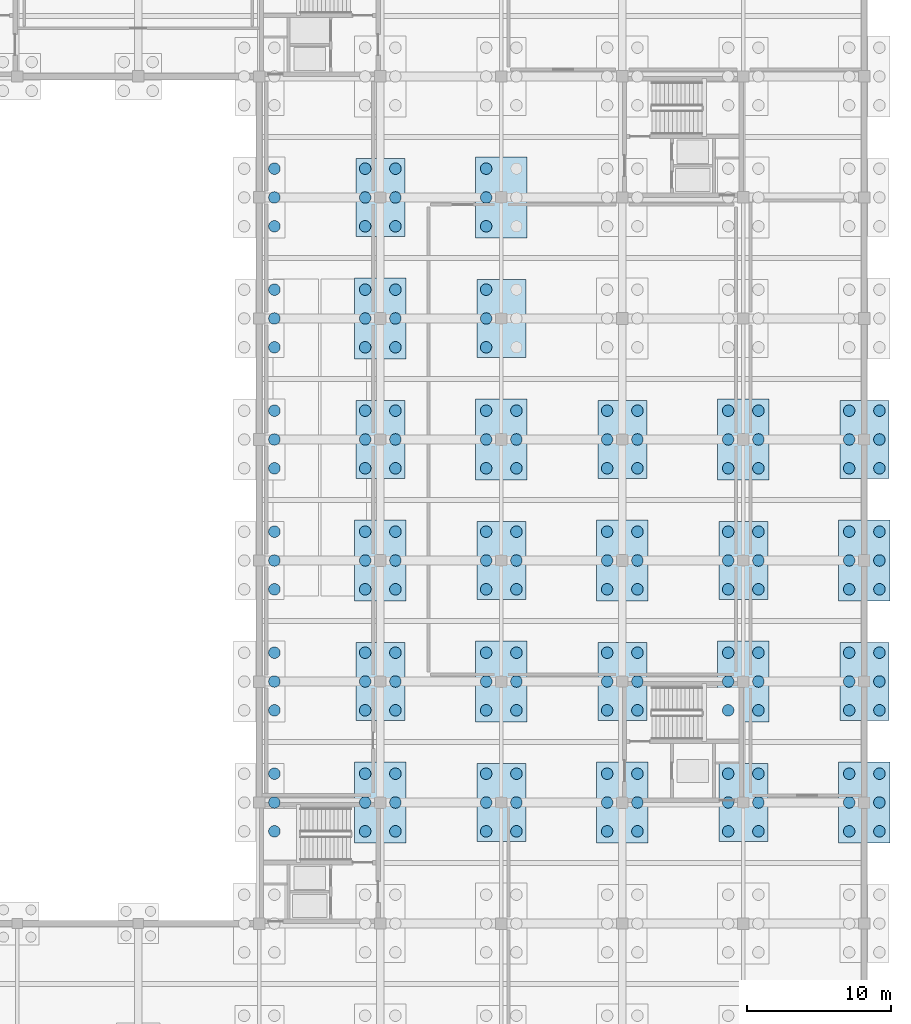
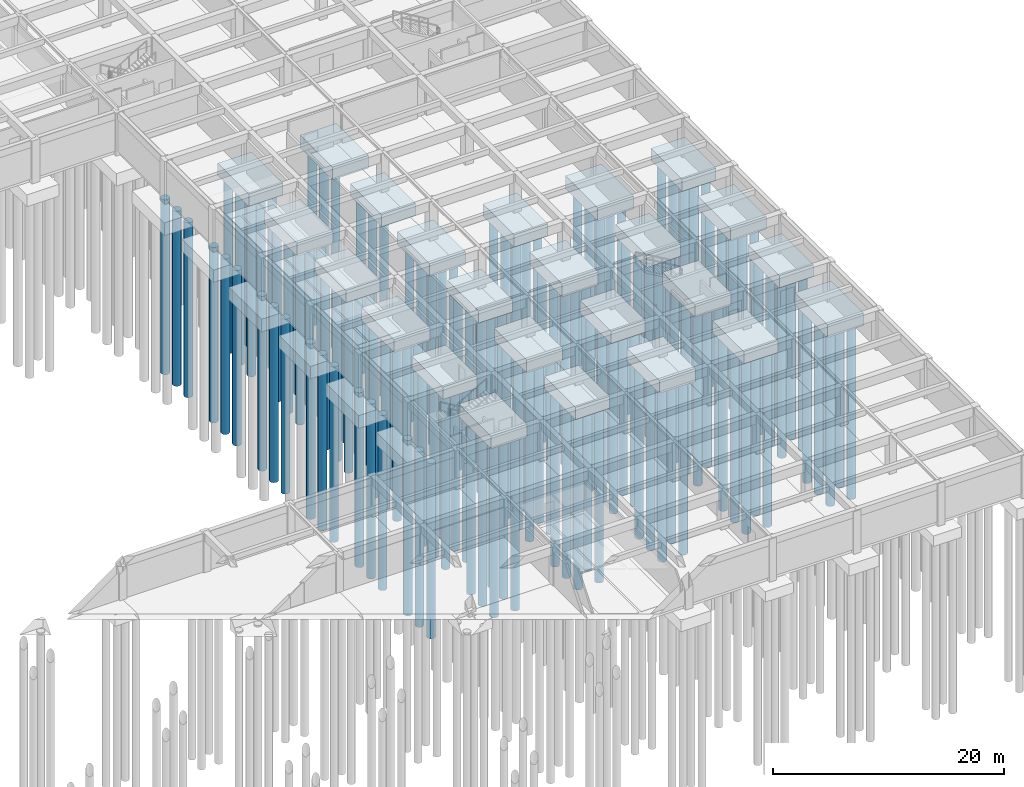
# One storey, part 5 of 33: 156 piles, 24 footings.
"""IFC4 building model written with IfcOpenShell, lengths in metres."""

from ifc_helpers import new_model, si_unit, direction, frame, origin, origin_2d, place, context, subcontext, project, spatial, rectangle, circle, extrude, material, material_profile, profile_set, type_object, element, save


model = new_model("IFC4")

# Units and contexts
model_context = context("Model", 3, precision=1e-05, world=origin(), true_north=direction((0.0, 1.0)))
body_context = subcontext(model_context, "Body", "Model", "MODEL_VIEW")
ifc_project = project(units=[si_unit("LENGTHUNIT", "METRE"), si_unit("AREAUNIT", "SQUARE_METRE"), si_unit("VOLUMEUNIT", "CUBIC_METRE"), si_unit("PLANEANGLEUNIT", "RADIAN"), si_unit("MASSUNIT", "GRAM", prefix="KILO")], contexts=[model_context])

# Site, building, storey
site_placement = place(None, origin())
site = spatial("IfcSite", under=ifc_project, at=site_placement, CompositionType="ELEMENT")
building_placement = place(site_placement, origin())
building = spatial("IfcBuilding", under=site, at=building_placement, Name="Kveldsbrygga Polytechnic", CompositionType="ELEMENT")
storey_placement = place(building_placement, frame((0.0, 0.0, -4.419921875)))
storey = spatial("IfcBuildingStorey", under=building, at=storey_placement, Name="B1", CompositionType="ELEMENT", Elevation=-4.419921875)

# Footings
ifc_material = material(Name="Concrete C45/55", Category="concrete")
footing_type_1 = type_object("IfcFootingType", Name="PC-6P-CORE", PredefinedType="PILE_CAP", material=ifc_material)
for number, where, z_axis, x_axis, name in (
    (1, (134.39990234375, 33.60009765625, -1.750244140625), (0.0, 0.0, 1.0), (1.0, 0.0, 0.0), "Foundation FND-16-04"),
    (2, (134.39990234375, 50.39990234375, -1.750244140625), (0.0, 0.0, 1.0), (1.0, 0.0, 0.0), "Foundation FND-16-06"),
    (3, (134.39990234375, 67.199951171875, -1.750244140625), (0.0, 0.0, 1.0), (1.0, 0.0, 0.0), "Foundation FND-16-08"),
    (4, (142.800048828125, 42.0, -1.750244140625), (0.0, 0.0, 1.0), (1.0, 0.0, 0.0), "Foundation FND-17-05"),
    (5, (142.800048828125, 58.800048828125, -1.750244140625), (0.0, 0.0, 1.0), (1.0, 0.0, 0.0), "Foundation FND-17-07"),
    (6, (142.800048828125, 75.60009765625, -1.750244140625), (0.0, 0.0, 1.0), (1.0, 0.0, 0.0), "Foundation FND-17-09"),
    (7, (151.199951171875, 33.60009765625, -1.750244140625), (0.0, 0.0, 1.0), (1.0, 0.0, 0.0), "Foundation FND-18-04"),
    (8, (151.199951171875, 50.39990234375, -1.750244140625), (0.0, 0.0, 1.0), (1.0, 0.0, 0.0), "Foundation FND-18-06"),
    (9, (159.60009765625, 42.0, -1.750244140625), (0.0, 0.0, 1.0), (1.0, 0.0, 0.0), "Foundation FND-19-05"),
    (10, (159.60009765625, 58.800048828125, -1.750244140625), (0.0, 0.0, 1.0), (1.0, 0.0, 0.0), "Foundation FND-19-07"),
    (11, (168.0, 33.60009765625, -1.750244140625), (0.0, 0.0, 1.0), (1.0, 0.0, 0.0), "Foundation FND-20-04"),
    (12, (168.0, 50.39990234375, -1.750244140625), (0.0, 0.0, 1.0), (1.0, 0.0, 0.0), "Foundation FND-20-06"),
):
    element("IfcFooting", number, at=place(storey_placement, frame(where, z_axis=z_axis, x_axis=x_axis)), inside=storey, type_object=footing_type_1, Name=name, PredefinedType="PILE_CAP", context=body_context, shape_type="SweptSolid", body=[
        extrude(rectangle(XDim=3.60009765625, YDim=5.60009765625, at=origin_2d()), origin(), (0.0, 0.0, 1.0), 1.35009765625),
    ])
footing_type_2 = type_object("IfcFootingType", Name="PC-6P-HEAVY", PredefinedType="PILE_CAP", material=ifc_material)
for number, where, z_axis, x_axis, name in (
    (13, (134.39990234375, 42.0, -1.7001953125), (0.0, 0.0, 1.0), (1.0, 0.0, 0.0), "Foundation FND-16-05"),
    (14, (134.39990234375, 58.800048828125, -1.7001953125), (0.0, 0.0, 1.0), (1.0, 0.0, 0.0), "Foundation FND-16-07"),
    (15, (134.39990234375, 75.60009765625, -1.7001953125), (0.0, 0.0, 1.0), (1.0, 0.0, 0.0), "Foundation FND-16-09"),
    (16, (142.800048828125, 33.60009765625, -1.7001953125), (0.0, 0.0, 1.0), (1.0, 0.0, 0.0), "Foundation FND-17-04"),
    (17, (142.800048828125, 50.39990234375, -1.7001953125), (0.0, 0.0, 1.0), (1.0, 0.0, 0.0), "Foundation FND-17-06"),
    (18, (142.800048828125, 67.199951171875, -1.7001953125), (0.0, 0.0, 1.0), (1.0, 0.0, 0.0), "Foundation FND-17-08"),
    (19, (151.199951171875, 42.0, -1.7001953125), (0.0, 0.0, 1.0), (1.0, 0.0, 0.0), "Foundation FND-18-05"),
    (20, (151.199951171875, 58.800048828125, -1.7001953125), (0.0, 0.0, 1.0), (1.0, 0.0, 0.0), "Foundation FND-18-07"),
    (21, (159.60009765625, 33.60009765625, -1.7001953125), (0.0, 0.0, 1.0), (1.0, 0.0, 0.0), "Foundation FND-19-04"),
    (22, (159.60009765625, 50.39990234375, -1.7001953125), (0.0, 0.0, 1.0), (1.0, 0.0, 0.0), "Foundation FND-19-06"),
    (23, (168.0, 42.0, -1.7001953125), (0.0, 0.0, 1.0), (1.0, 0.0, 0.0), "Foundation FND-20-05"),
    (24, (168.0, 58.800048828125, -1.7001953125), (0.0, 0.0, 1.0), (1.0, 0.0, 0.0), "Foundation FND-20-07"),
):
    element("IfcFooting", number, at=place(storey_placement, frame(where, z_axis=z_axis, x_axis=x_axis)), inside=storey, type_object=footing_type_2, Name=name, PredefinedType="PILE_CAP", context=body_context, shape_type="SweptSolid", body=[
        extrude(rectangle(XDim=3.39990234375, YDim=5.39990234375, at=origin_2d()), origin(), (0.0, 0.0, 1.0), 1.300048828125),
    ])

# Piles
ifc_material_profile = material_profile(ifc_material, circle(Radius=0.39990234375, at=origin_2d()), Name="PILE D800")
ifc_profile_set = profile_set([ifc_material_profile], Name="Concrete C45/55")
pile_type = type_object("IfcPileType", Name="PILE-D800", PredefinedType="BORED", material=ifc_profile_set)
for number, where, z_axis, x_axis, name in (
    (25, (127.050048828125, 31.60009765625, -1.550048828125), (0.0, 0.0, -1.0), (1.0, 0.0, 0.0), "Bored Pile PIL-15-04-2"),
    (26, (127.050048828125, 33.60009765625, -1.550048828125), (0.0, 0.0, -1.0), (1.0, 0.0, 0.0), "Bored Pile PIL-15-04-4"),
    (27, (127.050048828125, 35.60009765625, -1.550048828125), (0.0, 0.0, -1.0), (1.0, 0.0, 0.0), "Bored Pile PIL-15-04-6"),
):
    element("IfcPile", number, at=place(storey_placement, frame(where, z_axis=z_axis, x_axis=x_axis)), inside=storey, type_object=pile_type, Name=name, PredefinedType="BORED", context=body_context, shape_type="SweptSolid", body=[
        extrude(circle(Radius=0.39990234375, at=origin_2d()), origin(), (0.0, 0.0, 1.0), 18.530029296875),
    ])
for number, where, z_axis, x_axis, name in (
    (28, (127.050048828125, 40.0, -1.60009765625), (0.0, 0.0, -1.0), (1.0, 0.0, 0.0), "Bored Pile PIL-15-05-2"),
    (29, (127.050048828125, 42.0, -1.60009765625), (0.0, 0.0, -1.0), (1.0, 0.0, 0.0), "Bored Pile PIL-15-05-4"),
    (30, (127.050048828125, 44.0, -1.60009765625), (0.0, 0.0, -1.0), (1.0, 0.0, 0.0), "Bored Pile PIL-15-05-6"),
):
    element("IfcPile", number, at=place(storey_placement, frame(where, z_axis=z_axis, x_axis=x_axis)), inside=storey, type_object=pile_type, Name=name, PredefinedType="BORED", context=body_context, shape_type="SweptSolid", body=[
        extrude(circle(Radius=0.39990234375, at=origin_2d()), origin(), (0.0, 0.0, 1.0), 18.47998046875),
    ])
for number, where, z_axis, x_axis, name in (
    (31, (127.050048828125, 48.39990234375, -1.550048828125), (0.0, 0.0, -1.0), (1.0, 0.0, 0.0), "Bored Pile PIL-15-06-2"),
    (32, (127.050048828125, 50.39990234375, -1.550048828125), (0.0, 0.0, -1.0), (1.0, 0.0, 0.0), "Bored Pile PIL-15-06-4"),
    (33, (127.050048828125, 52.39990234375, -1.550048828125), (0.0, 0.0, -1.0), (1.0, 0.0, 0.0), "Bored Pile PIL-15-06-6"),
):
    element("IfcPile", number, at=place(storey_placement, frame(where, z_axis=z_axis, x_axis=x_axis)), inside=storey, type_object=pile_type, Name=name, PredefinedType="BORED", context=body_context, shape_type="SweptSolid", body=[
        extrude(circle(Radius=0.39990234375, at=origin_2d()), origin(), (0.0, 0.0, 1.0), 18.530029296875),
    ])
for number, where, z_axis, x_axis, name in (
    (34, (127.050048828125, 56.800048828125, -1.60009765625), (0.0, 0.0, -1.0), (1.0, 0.0, 0.0), "Bored Pile PIL-15-07-2"),
    (35, (127.050048828125, 58.800048828125, -1.60009765625), (0.0, 0.0, -1.0), (1.0, 0.0, 0.0), "Bored Pile PIL-15-07-4"),
    (36, (127.050048828125, 60.800048828125, -1.60009765625), (0.0, 0.0, -1.0), (1.0, 0.0, 0.0), "Bored Pile PIL-15-07-6"),
):
    element("IfcPile", number, at=place(storey_placement, frame(where, z_axis=z_axis, x_axis=x_axis)), inside=storey, type_object=pile_type, Name=name, PredefinedType="BORED", context=body_context, shape_type="SweptSolid", body=[
        extrude(circle(Radius=0.39990234375, at=origin_2d()), origin(), (0.0, 0.0, 1.0), 18.47998046875),
    ])
for number, where, z_axis, x_axis, name in (
    (37, (127.050048828125, 65.199951171875, -1.550048828125), (0.0, 0.0, -1.0), (1.0, 0.0, 0.0), "Bored Pile PIL-15-08-2"),
    (38, (127.050048828125, 67.199951171875, -1.550048828125), (0.0, 0.0, -1.0), (1.0, 0.0, 0.0), "Bored Pile PIL-15-08-4"),
    (39, (127.050048828125, 69.199951171875, -1.550048828125), (0.0, 0.0, -1.0), (1.0, 0.0, 0.0), "Bored Pile PIL-15-08-6"),
):
    element("IfcPile", number, at=place(storey_placement, frame(where, z_axis=z_axis, x_axis=x_axis)), inside=storey, type_object=pile_type, Name=name, PredefinedType="BORED", context=body_context, shape_type="SweptSolid", body=[
        extrude(circle(Radius=0.39990234375, at=origin_2d()), origin(), (0.0, 0.0, 1.0), 18.530029296875),
    ])
for number, where, z_axis, x_axis, name in (
    (40, (127.050048828125, 73.60009765625, -1.60009765625), (0.0, 0.0, -1.0), (1.0, 0.0, 0.0), "Bored Pile PIL-15-09-2"),
    (41, (127.050048828125, 75.60009765625, -1.60009765625), (0.0, 0.0, -1.0), (1.0, 0.0, 0.0), "Bored Pile PIL-15-09-4"),
    (42, (127.050048828125, 77.60009765625, -1.60009765625), (0.0, 0.0, -1.0), (1.0, 0.0, 0.0), "Bored Pile PIL-15-09-6"),
    (43, (133.35009765625, 31.60009765625, -1.60009765625), (0.0, 0.0, -1.0), (1.0, 0.0, 0.0), "Bored Pile PIL-16-04-1"),
    (44, (135.449951171875, 31.60009765625, -1.60009765625), (0.0, 0.0, -1.0), (1.0, 0.0, 0.0), "Bored Pile PIL-16-04-2"),
    (45, (133.35009765625, 33.60009765625, -1.60009765625), (0.0, 0.0, -1.0), (1.0, 0.0, 0.0), "Bored Pile PIL-16-04-3"),
    (46, (135.449951171875, 33.60009765625, -1.60009765625), (0.0, 0.0, -1.0), (1.0, 0.0, 0.0), "Bored Pile PIL-16-04-4"),
    (47, (133.35009765625, 35.60009765625, -1.60009765625), (0.0, 0.0, -1.0), (1.0, 0.0, 0.0), "Bored Pile PIL-16-04-5"),
    (48, (135.449951171875, 35.60009765625, -1.60009765625), (0.0, 0.0, -1.0), (1.0, 0.0, 0.0), "Bored Pile PIL-16-04-6"),
):
    element("IfcPile", number, at=place(storey_placement, frame(where, z_axis=z_axis, x_axis=x_axis)), inside=storey, type_object=pile_type, Name=name, PredefinedType="BORED", context=body_context, shape_type="SweptSolid", body=[
        extrude(circle(Radius=0.39990234375, at=origin_2d()), origin(), (0.0, 0.0, 1.0), 18.47998046875),
    ])
for number, where, z_axis, x_axis, name in (
    (49, (133.35009765625, 40.0, -1.550048828125), (0.0, 0.0, -1.0), (1.0, 0.0, 0.0), "Bored Pile PIL-16-05-1"),
    (50, (135.449951171875, 40.0, -1.550048828125), (0.0, 0.0, -1.0), (1.0, 0.0, 0.0), "Bored Pile PIL-16-05-2"),
    (51, (133.35009765625, 42.0, -1.550048828125), (0.0, 0.0, -1.0), (1.0, 0.0, 0.0), "Bored Pile PIL-16-05-3"),
    (52, (135.449951171875, 42.0, -1.550048828125), (0.0, 0.0, -1.0), (1.0, 0.0, 0.0), "Bored Pile PIL-16-05-4"),
    (53, (133.35009765625, 44.0, -1.550048828125), (0.0, 0.0, -1.0), (1.0, 0.0, 0.0), "Bored Pile PIL-16-05-5"),
    (54, (135.449951171875, 44.0, -1.550048828125), (0.0, 0.0, -1.0), (1.0, 0.0, 0.0), "Bored Pile PIL-16-05-6"),
):
    element("IfcPile", number, at=place(storey_placement, frame(where, z_axis=z_axis, x_axis=x_axis)), inside=storey, type_object=pile_type, Name=name, PredefinedType="BORED", context=body_context, shape_type="SweptSolid", body=[
        extrude(circle(Radius=0.39990234375, at=origin_2d()), origin(), (0.0, 0.0, 1.0), 18.530029296875),
    ])
for number, where, z_axis, x_axis, name in (
    (55, (133.35009765625, 48.39990234375, -1.60009765625), (0.0, 0.0, -1.0), (1.0, 0.0, 0.0), "Bored Pile PIL-16-06-1"),
    (56, (135.449951171875, 48.39990234375, -1.60009765625), (0.0, 0.0, -1.0), (1.0, 0.0, 0.0), "Bored Pile PIL-16-06-2"),
    (57, (133.35009765625, 50.39990234375, -1.60009765625), (0.0, 0.0, -1.0), (1.0, 0.0, 0.0), "Bored Pile PIL-16-06-3"),
    (58, (135.449951171875, 50.39990234375, -1.60009765625), (0.0, 0.0, -1.0), (1.0, 0.0, 0.0), "Bored Pile PIL-16-06-4"),
    (59, (133.35009765625, 52.39990234375, -1.60009765625), (0.0, 0.0, -1.0), (1.0, 0.0, 0.0), "Bored Pile PIL-16-06-5"),
    (60, (135.449951171875, 52.39990234375, -1.60009765625), (0.0, 0.0, -1.0), (1.0, 0.0, 0.0), "Bored Pile PIL-16-06-6"),
):
    element("IfcPile", number, at=place(storey_placement, frame(where, z_axis=z_axis, x_axis=x_axis)), inside=storey, type_object=pile_type, Name=name, PredefinedType="BORED", context=body_context, shape_type="SweptSolid", body=[
        extrude(circle(Radius=0.39990234375, at=origin_2d()), origin(), (0.0, 0.0, 1.0), 18.47998046875),
    ])
for number, where, z_axis, x_axis, name in (
    (61, (133.35009765625, 56.800048828125, -1.550048828125), (0.0, 0.0, -1.0), (1.0, 0.0, 0.0), "Bored Pile PIL-16-07-1"),
    (62, (135.449951171875, 56.800048828125, -1.550048828125), (0.0, 0.0, -1.0), (1.0, 0.0, 0.0), "Bored Pile PIL-16-07-2"),
    (63, (133.35009765625, 58.800048828125, -1.550048828125), (0.0, 0.0, -1.0), (1.0, 0.0, 0.0), "Bored Pile PIL-16-07-3"),
    (64, (135.449951171875, 58.800048828125, -1.550048828125), (0.0, 0.0, -1.0), (1.0, 0.0, 0.0), "Bored Pile PIL-16-07-4"),
    (65, (133.35009765625, 60.800048828125, -1.550048828125), (0.0, 0.0, -1.0), (1.0, 0.0, 0.0), "Bored Pile PIL-16-07-5"),
    (66, (135.449951171875, 60.800048828125, -1.550048828125), (0.0, 0.0, -1.0), (1.0, 0.0, 0.0), "Bored Pile PIL-16-07-6"),
):
    element("IfcPile", number, at=place(storey_placement, frame(where, z_axis=z_axis, x_axis=x_axis)), inside=storey, type_object=pile_type, Name=name, PredefinedType="BORED", context=body_context, shape_type="SweptSolid", body=[
        extrude(circle(Radius=0.39990234375, at=origin_2d()), origin(), (0.0, 0.0, 1.0), 18.530029296875),
    ])
for number, where, z_axis, x_axis, name in (
    (67, (133.35009765625, 65.199951171875, -1.60009765625), (0.0, 0.0, -1.0), (1.0, 0.0, 0.0), "Bored Pile PIL-16-08-1"),
    (68, (135.449951171875, 65.199951171875, -1.60009765625), (0.0, 0.0, -1.0), (1.0, 0.0, 0.0), "Bored Pile PIL-16-08-2"),
    (69, (133.35009765625, 67.199951171875, -1.60009765625), (0.0, 0.0, -1.0), (1.0, 0.0, 0.0), "Bored Pile PIL-16-08-3"),
    (70, (135.449951171875, 67.199951171875, -1.60009765625), (0.0, 0.0, -1.0), (1.0, 0.0, 0.0), "Bored Pile PIL-16-08-4"),
    (71, (133.35009765625, 69.199951171875, -1.60009765625), (0.0, 0.0, -1.0), (1.0, 0.0, 0.0), "Bored Pile PIL-16-08-5"),
    (72, (135.449951171875, 69.199951171875, -1.60009765625), (0.0, 0.0, -1.0), (1.0, 0.0, 0.0), "Bored Pile PIL-16-08-6"),
):
    element("IfcPile", number, at=place(storey_placement, frame(where, z_axis=z_axis, x_axis=x_axis)), inside=storey, type_object=pile_type, Name=name, PredefinedType="BORED", context=body_context, shape_type="SweptSolid", body=[
        extrude(circle(Radius=0.39990234375, at=origin_2d()), origin(), (0.0, 0.0, 1.0), 18.47998046875),
    ])
for number, where, z_axis, x_axis, name in (
    (73, (133.35009765625, 73.60009765625, -1.550048828125), (0.0, 0.0, -1.0), (1.0, 0.0, 0.0), "Bored Pile PIL-16-09-1"),
    (74, (135.449951171875, 73.60009765625, -1.550048828125), (0.0, 0.0, -1.0), (1.0, 0.0, 0.0), "Bored Pile PIL-16-09-2"),
    (75, (133.35009765625, 75.60009765625, -1.550048828125), (0.0, 0.0, -1.0), (1.0, 0.0, 0.0), "Bored Pile PIL-16-09-3"),
    (76, (135.449951171875, 75.60009765625, -1.550048828125), (0.0, 0.0, -1.0), (1.0, 0.0, 0.0), "Bored Pile PIL-16-09-4"),
    (77, (133.35009765625, 77.60009765625, -1.550048828125), (0.0, 0.0, -1.0), (1.0, 0.0, 0.0), "Bored Pile PIL-16-09-5"),
    (78, (135.449951171875, 77.60009765625, -1.550048828125), (0.0, 0.0, -1.0), (1.0, 0.0, 0.0), "Bored Pile PIL-16-09-6"),
    (79, (141.75, 31.60009765625, -1.550048828125), (0.0, 0.0, -1.0), (1.0, 0.0, 0.0), "Bored Pile PIL-17-04-1"),
    (80, (143.85009765625, 31.60009765625, -1.550048828125), (0.0, 0.0, -1.0), (1.0, 0.0, 0.0), "Bored Pile PIL-17-04-2"),
    (81, (141.75, 33.60009765625, -1.550048828125), (0.0, 0.0, -1.0), (1.0, 0.0, 0.0), "Bored Pile PIL-17-04-3"),
    (82, (143.85009765625, 33.60009765625, -1.550048828125), (0.0, 0.0, -1.0), (1.0, 0.0, 0.0), "Bored Pile PIL-17-04-4"),
    (83, (141.75, 35.60009765625, -1.550048828125), (0.0, 0.0, -1.0), (1.0, 0.0, 0.0), "Bored Pile PIL-17-04-5"),
    (84, (143.85009765625, 35.60009765625, -1.550048828125), (0.0, 0.0, -1.0), (1.0, 0.0, 0.0), "Bored Pile PIL-17-04-6"),
):
    element("IfcPile", number, at=place(storey_placement, frame(where, z_axis=z_axis, x_axis=x_axis)), inside=storey, type_object=pile_type, Name=name, PredefinedType="BORED", context=body_context, shape_type="SweptSolid", body=[
        extrude(circle(Radius=0.39990234375, at=origin_2d()), origin(), (0.0, 0.0, 1.0), 18.530029296875),
    ])
for number, where, z_axis, x_axis, name in (
    (85, (141.75, 40.0, -1.60009765625), (0.0, 0.0, -1.0), (1.0, 0.0, 0.0), "Bored Pile PIL-17-05-1"),
    (86, (143.85009765625, 40.0, -1.60009765625), (0.0, 0.0, -1.0), (1.0, 0.0, 0.0), "Bored Pile PIL-17-05-2"),
    (87, (141.75, 42.0, -1.60009765625), (0.0, 0.0, -1.0), (1.0, 0.0, 0.0), "Bored Pile PIL-17-05-3"),
    (88, (143.85009765625, 42.0, -1.60009765625), (0.0, 0.0, -1.0), (1.0, 0.0, 0.0), "Bored Pile PIL-17-05-4"),
    (89, (141.75, 44.0, -1.60009765625), (0.0, 0.0, -1.0), (1.0, 0.0, 0.0), "Bored Pile PIL-17-05-5"),
    (90, (143.85009765625, 44.0, -1.60009765625), (0.0, 0.0, -1.0), (1.0, 0.0, 0.0), "Bored Pile PIL-17-05-6"),
):
    element("IfcPile", number, at=place(storey_placement, frame(where, z_axis=z_axis, x_axis=x_axis)), inside=storey, type_object=pile_type, Name=name, PredefinedType="BORED", context=body_context, shape_type="SweptSolid", body=[
        extrude(circle(Radius=0.39990234375, at=origin_2d()), origin(), (0.0, 0.0, 1.0), 18.47998046875),
    ])
for number, where, z_axis, x_axis, name in (
    (91, (141.75, 48.39990234375, -1.550048828125), (0.0, 0.0, -1.0), (1.0, 0.0, 0.0), "Bored Pile PIL-17-06-1"),
    (92, (143.85009765625, 48.39990234375, -1.550048828125), (0.0, 0.0, -1.0), (1.0, 0.0, 0.0), "Bored Pile PIL-17-06-2"),
    (93, (141.75, 50.39990234375, -1.550048828125), (0.0, 0.0, -1.0), (1.0, 0.0, 0.0), "Bored Pile PIL-17-06-3"),
    (94, (143.85009765625, 50.39990234375, -1.550048828125), (0.0, 0.0, -1.0), (1.0, 0.0, 0.0), "Bored Pile PIL-17-06-4"),
    (95, (141.75, 52.39990234375, -1.550048828125), (0.0, 0.0, -1.0), (1.0, 0.0, 0.0), "Bored Pile PIL-17-06-5"),
    (96, (143.85009765625, 52.39990234375, -1.550048828125), (0.0, 0.0, -1.0), (1.0, 0.0, 0.0), "Bored Pile PIL-17-06-6"),
):
    element("IfcPile", number, at=place(storey_placement, frame(where, z_axis=z_axis, x_axis=x_axis)), inside=storey, type_object=pile_type, Name=name, PredefinedType="BORED", context=body_context, shape_type="SweptSolid", body=[
        extrude(circle(Radius=0.39990234375, at=origin_2d()), origin(), (0.0, 0.0, 1.0), 18.530029296875),
    ])
for number, where, z_axis, x_axis, name in (
    (97, (141.75, 56.800048828125, -1.60009765625), (0.0, 0.0, -1.0), (1.0, 0.0, 0.0), "Bored Pile PIL-17-07-1"),
    (98, (143.85009765625, 56.800048828125, -1.60009765625), (0.0, 0.0, -1.0), (1.0, 0.0, 0.0), "Bored Pile PIL-17-07-2"),
    (99, (141.75, 58.800048828125, -1.60009765625), (0.0, 0.0, -1.0), (1.0, 0.0, 0.0), "Bored Pile PIL-17-07-3"),
    (100, (143.85009765625, 58.800048828125, -1.60009765625), (0.0, 0.0, -1.0), (1.0, 0.0, 0.0), "Bored Pile PIL-17-07-4"),
    (101, (141.75, 60.800048828125, -1.60009765625), (0.0, 0.0, -1.0), (1.0, 0.0, 0.0), "Bored Pile PIL-17-07-5"),
    (102, (143.85009765625, 60.800048828125, -1.60009765625), (0.0, 0.0, -1.0), (1.0, 0.0, 0.0), "Bored Pile PIL-17-07-6"),
):
    element("IfcPile", number, at=place(storey_placement, frame(where, z_axis=z_axis, x_axis=x_axis)), inside=storey, type_object=pile_type, Name=name, PredefinedType="BORED", context=body_context, shape_type="SweptSolid", body=[
        extrude(circle(Radius=0.39990234375, at=origin_2d()), origin(), (0.0, 0.0, 1.0), 18.47998046875),
    ])
for number, where, z_axis, x_axis, name in (
    (103, (141.75, 65.199951171875, -1.550048828125), (0.0, 0.0, -1.0), (1.0, 0.0, 0.0), "Bored Pile PIL-17-08-1"),
    (104, (141.75, 67.199951171875, -1.550048828125), (0.0, 0.0, -1.0), (1.0, 0.0, 0.0), "Bored Pile PIL-17-08-3"),
    (105, (141.75, 69.199951171875, -1.550048828125), (0.0, 0.0, -1.0), (1.0, 0.0, 0.0), "Bored Pile PIL-17-08-5"),
):
    element("IfcPile", number, at=place(storey_placement, frame(where, z_axis=z_axis, x_axis=x_axis)), inside=storey, type_object=pile_type, Name=name, PredefinedType="BORED", context=body_context, shape_type="SweptSolid", body=[
        extrude(circle(Radius=0.39990234375, at=origin_2d()), origin(), (0.0, 0.0, 1.0), 18.530029296875),
    ])
for number, where, z_axis, x_axis, name in (
    (106, (141.75, 73.60009765625, -1.60009765625), (0.0, 0.0, -1.0), (1.0, 0.0, 0.0), "Bored Pile PIL-17-09-1"),
    (107, (141.75, 75.60009765625, -1.60009765625), (0.0, 0.0, -1.0), (1.0, 0.0, 0.0), "Bored Pile PIL-17-09-3"),
    (108, (141.75, 77.60009765625, -1.60009765625), (0.0, 0.0, -1.0), (1.0, 0.0, 0.0), "Bored Pile PIL-17-09-5"),
    (109, (150.14990234375, 31.60009765625, -1.60009765625), (0.0, 0.0, -1.0), (1.0, 0.0, 0.0), "Bored Pile PIL-18-04-1"),
    (110, (152.25, 31.60009765625, -1.60009765625), (0.0, 0.0, -1.0), (1.0, 0.0, 0.0), "Bored Pile PIL-18-04-2"),
    (111, (150.14990234375, 33.60009765625, -1.60009765625), (0.0, 0.0, -1.0), (1.0, 0.0, 0.0), "Bored Pile PIL-18-04-3"),
    (112, (152.25, 33.60009765625, -1.60009765625), (0.0, 0.0, -1.0), (1.0, 0.0, 0.0), "Bored Pile PIL-18-04-4"),
    (113, (150.14990234375, 35.60009765625, -1.60009765625), (0.0, 0.0, -1.0), (1.0, 0.0, 0.0), "Bored Pile PIL-18-04-5"),
    (114, (152.25, 35.60009765625, -1.60009765625), (0.0, 0.0, -1.0), (1.0, 0.0, 0.0), "Bored Pile PIL-18-04-6"),
):
    element("IfcPile", number, at=place(storey_placement, frame(where, z_axis=z_axis, x_axis=x_axis)), inside=storey, type_object=pile_type, Name=name, PredefinedType="BORED", context=body_context, shape_type="SweptSolid", body=[
        extrude(circle(Radius=0.39990234375, at=origin_2d()), origin(), (0.0, 0.0, 1.0), 18.47998046875),
    ])
for number, where, z_axis, x_axis, name in (
    (115, (150.14990234375, 40.0, -1.550048828125), (0.0, 0.0, -1.0), (1.0, 0.0, 0.0), "Bored Pile PIL-18-05-1"),
    (116, (152.25, 40.0, -1.550048828125), (0.0, 0.0, -1.0), (1.0, 0.0, 0.0), "Bored Pile PIL-18-05-2"),
    (117, (150.14990234375, 42.0, -1.550048828125), (0.0, 0.0, -1.0), (1.0, 0.0, 0.0), "Bored Pile PIL-18-05-3"),
    (118, (152.25, 42.0, -1.550048828125), (0.0, 0.0, -1.0), (1.0, 0.0, 0.0), "Bored Pile PIL-18-05-4"),
    (119, (150.14990234375, 44.0, -1.550048828125), (0.0, 0.0, -1.0), (1.0, 0.0, 0.0), "Bored Pile PIL-18-05-5"),
    (120, (152.25, 44.0, -1.550048828125), (0.0, 0.0, -1.0), (1.0, 0.0, 0.0), "Bored Pile PIL-18-05-6"),
):
    element("IfcPile", number, at=place(storey_placement, frame(where, z_axis=z_axis, x_axis=x_axis)), inside=storey, type_object=pile_type, Name=name, PredefinedType="BORED", context=body_context, shape_type="SweptSolid", body=[
        extrude(circle(Radius=0.39990234375, at=origin_2d()), origin(), (0.0, 0.0, 1.0), 18.530029296875),
    ])
for number, where, z_axis, x_axis, name in (
    (121, (150.14990234375, 48.39990234375, -1.60009765625), (0.0, 0.0, -1.0), (1.0, 0.0, 0.0), "Bored Pile PIL-18-06-1"),
    (122, (152.25, 48.39990234375, -1.60009765625), (0.0, 0.0, -1.0), (1.0, 0.0, 0.0), "Bored Pile PIL-18-06-2"),
    (123, (150.14990234375, 50.39990234375, -1.60009765625), (0.0, 0.0, -1.0), (1.0, 0.0, 0.0), "Bored Pile PIL-18-06-3"),
    (124, (152.25, 50.39990234375, -1.60009765625), (0.0, 0.0, -1.0), (1.0, 0.0, 0.0), "Bored Pile PIL-18-06-4"),
    (125, (150.14990234375, 52.39990234375, -1.60009765625), (0.0, 0.0, -1.0), (1.0, 0.0, 0.0), "Bored Pile PIL-18-06-5"),
    (126, (152.25, 52.39990234375, -1.60009765625), (0.0, 0.0, -1.0), (1.0, 0.0, 0.0), "Bored Pile PIL-18-06-6"),
):
    element("IfcPile", number, at=place(storey_placement, frame(where, z_axis=z_axis, x_axis=x_axis)), inside=storey, type_object=pile_type, Name=name, PredefinedType="BORED", context=body_context, shape_type="SweptSolid", body=[
        extrude(circle(Radius=0.39990234375, at=origin_2d()), origin(), (0.0, 0.0, 1.0), 18.47998046875),
    ])
for number, where, z_axis, x_axis, name in (
    (127, (150.14990234375, 56.800048828125, -1.550048828125), (0.0, 0.0, -1.0), (1.0, 0.0, 0.0), "Bored Pile PIL-18-07-1"),
    (128, (152.25, 56.800048828125, -1.550048828125), (0.0, 0.0, -1.0), (1.0, 0.0, 0.0), "Bored Pile PIL-18-07-2"),
    (129, (150.14990234375, 58.800048828125, -1.550048828125), (0.0, 0.0, -1.0), (1.0, 0.0, 0.0), "Bored Pile PIL-18-07-3"),
    (130, (152.25, 58.800048828125, -1.550048828125), (0.0, 0.0, -1.0), (1.0, 0.0, 0.0), "Bored Pile PIL-18-07-4"),
    (131, (150.14990234375, 60.800048828125, -1.550048828125), (0.0, 0.0, -1.0), (1.0, 0.0, 0.0), "Bored Pile PIL-18-07-5"),
    (132, (152.25, 60.800048828125, -1.550048828125), (0.0, 0.0, -1.0), (1.0, 0.0, 0.0), "Bored Pile PIL-18-07-6"),
    (133, (158.550048828125, 31.60009765625, -1.550048828125), (0.0, 0.0, -1.0), (1.0, 0.0, 0.0), "Bored Pile PIL-19-04-1"),
    (134, (160.64990234375, 31.60009765625, -1.550048828125), (0.0, 0.0, -1.0), (1.0, 0.0, 0.0), "Bored Pile PIL-19-04-2"),
    (135, (158.550048828125, 33.60009765625, -1.550048828125), (0.0, 0.0, -1.0), (1.0, 0.0, 0.0), "Bored Pile PIL-19-04-3"),
    (136, (160.64990234375, 33.60009765625, -1.550048828125), (0.0, 0.0, -1.0), (1.0, 0.0, 0.0), "Bored Pile PIL-19-04-4"),
    (137, (158.550048828125, 35.60009765625, -1.550048828125), (0.0, 0.0, -1.0), (1.0, 0.0, 0.0), "Bored Pile PIL-19-04-5"),
    (138, (160.64990234375, 35.60009765625, -1.550048828125), (0.0, 0.0, -1.0), (1.0, 0.0, 0.0), "Bored Pile PIL-19-04-6"),
):
    element("IfcPile", number, at=place(storey_placement, frame(where, z_axis=z_axis, x_axis=x_axis)), inside=storey, type_object=pile_type, Name=name, PredefinedType="BORED", context=body_context, shape_type="SweptSolid", body=[
        extrude(circle(Radius=0.39990234375, at=origin_2d()), origin(), (0.0, 0.0, 1.0), 18.530029296875),
    ])
for number, where, z_axis, x_axis, name in (
    (139, (158.550048828125, 40.0, -1.60009765625), (0.0, 0.0, -1.0), (1.0, 0.0, 0.0), "Bored Pile PIL-19-05-1"),
    (140, (160.64990234375, 40.0, -1.60009765625), (0.0, 0.0, -1.0), (1.0, 0.0, 0.0), "Bored Pile PIL-19-05-2"),
    (141, (158.550048828125, 42.0, -1.60009765625), (0.0, 0.0, -1.0), (1.0, 0.0, 0.0), "Bored Pile PIL-19-05-3"),
    (142, (160.64990234375, 42.0, -1.60009765625), (0.0, 0.0, -1.0), (1.0, 0.0, 0.0), "Bored Pile PIL-19-05-4"),
    (143, (158.550048828125, 44.0, -1.60009765625), (0.0, 0.0, -1.0), (1.0, 0.0, 0.0), "Bored Pile PIL-19-05-5"),
    (144, (160.64990234375, 44.0, -1.60009765625), (0.0, 0.0, -1.0), (1.0, 0.0, 0.0), "Bored Pile PIL-19-05-6"),
):
    element("IfcPile", number, at=place(storey_placement, frame(where, z_axis=z_axis, x_axis=x_axis)), inside=storey, type_object=pile_type, Name=name, PredefinedType="BORED", context=body_context, shape_type="SweptSolid", body=[
        extrude(circle(Radius=0.39990234375, at=origin_2d()), origin(), (0.0, 0.0, 1.0), 18.47998046875),
    ])
for number, where, z_axis, x_axis, name in (
    (145, (158.550048828125, 48.39990234375, -1.550048828125), (0.0, 0.0, -1.0), (1.0, 0.0, 0.0), "Bored Pile PIL-19-06-1"),
    (146, (160.64990234375, 48.39990234375, -1.550048828125), (0.0, 0.0, -1.0), (1.0, 0.0, 0.0), "Bored Pile PIL-19-06-2"),
    (147, (158.550048828125, 50.39990234375, -1.550048828125), (0.0, 0.0, -1.0), (1.0, 0.0, 0.0), "Bored Pile PIL-19-06-3"),
    (148, (160.64990234375, 50.39990234375, -1.550048828125), (0.0, 0.0, -1.0), (1.0, 0.0, 0.0), "Bored Pile PIL-19-06-4"),
    (149, (158.550048828125, 52.39990234375, -1.550048828125), (0.0, 0.0, -1.0), (1.0, 0.0, 0.0), "Bored Pile PIL-19-06-5"),
    (150, (160.64990234375, 52.39990234375, -1.550048828125), (0.0, 0.0, -1.0), (1.0, 0.0, 0.0), "Bored Pile PIL-19-06-6"),
):
    element("IfcPile", number, at=place(storey_placement, frame(where, z_axis=z_axis, x_axis=x_axis)), inside=storey, type_object=pile_type, Name=name, PredefinedType="BORED", context=body_context, shape_type="SweptSolid", body=[
        extrude(circle(Radius=0.39990234375, at=origin_2d()), origin(), (0.0, 0.0, 1.0), 18.530029296875),
    ])
for number, where, z_axis, x_axis, name in (
    (151, (158.550048828125, 56.800048828125, -1.60009765625), (0.0, 0.0, -1.0), (1.0, 0.0, 0.0), "Bored Pile PIL-19-07-1"),
    (152, (160.64990234375, 56.800048828125, -1.60009765625), (0.0, 0.0, -1.0), (1.0, 0.0, 0.0), "Bored Pile PIL-19-07-2"),
    (153, (158.550048828125, 58.800048828125, -1.60009765625), (0.0, 0.0, -1.0), (1.0, 0.0, 0.0), "Bored Pile PIL-19-07-3"),
    (154, (160.64990234375, 58.800048828125, -1.60009765625), (0.0, 0.0, -1.0), (1.0, 0.0, 0.0), "Bored Pile PIL-19-07-4"),
    (155, (158.550048828125, 60.800048828125, -1.60009765625), (0.0, 0.0, -1.0), (1.0, 0.0, 0.0), "Bored Pile PIL-19-07-5"),
    (156, (160.64990234375, 60.800048828125, -1.60009765625), (0.0, 0.0, -1.0), (1.0, 0.0, 0.0), "Bored Pile PIL-19-07-6"),
    (157, (166.949951171875, 31.60009765625, -1.60009765625), (0.0, 0.0, -1.0), (1.0, 0.0, 0.0), "Bored Pile PIL-20-04-1"),
    (158, (169.050048828125, 31.60009765625, -1.60009765625), (0.0, 0.0, -1.0), (1.0, 0.0, 0.0), "Bored Pile PIL-20-04-2"),
    (159, (166.949951171875, 33.60009765625, -1.60009765625), (0.0, 0.0, -1.0), (1.0, 0.0, 0.0), "Bored Pile PIL-20-04-3"),
    (160, (169.050048828125, 33.60009765625, -1.60009765625), (0.0, 0.0, -1.0), (1.0, 0.0, 0.0), "Bored Pile PIL-20-04-4"),
    (161, (166.949951171875, 35.60009765625, -1.60009765625), (0.0, 0.0, -1.0), (1.0, 0.0, 0.0), "Bored Pile PIL-20-04-5"),
    (162, (169.050048828125, 35.60009765625, -1.60009765625), (0.0, 0.0, -1.0), (1.0, 0.0, 0.0), "Bored Pile PIL-20-04-6"),
):
    element("IfcPile", number, at=place(storey_placement, frame(where, z_axis=z_axis, x_axis=x_axis)), inside=storey, type_object=pile_type, Name=name, PredefinedType="BORED", context=body_context, shape_type="SweptSolid", body=[
        extrude(circle(Radius=0.39990234375, at=origin_2d()), origin(), (0.0, 0.0, 1.0), 18.47998046875),
    ])
for number, where, z_axis, x_axis, name in (
    (163, (166.949951171875, 40.0, -1.550048828125), (0.0, 0.0, -1.0), (1.0, 0.0, 0.0), "Bored Pile PIL-20-05-1"),
    (164, (169.050048828125, 40.0, -1.550048828125), (0.0, 0.0, -1.0), (1.0, 0.0, 0.0), "Bored Pile PIL-20-05-2"),
    (165, (166.949951171875, 42.0, -1.550048828125), (0.0, 0.0, -1.0), (1.0, 0.0, 0.0), "Bored Pile PIL-20-05-3"),
    (166, (169.050048828125, 42.0, -1.550048828125), (0.0, 0.0, -1.0), (1.0, 0.0, 0.0), "Bored Pile PIL-20-05-4"),
    (167, (166.949951171875, 44.0, -1.550048828125), (0.0, 0.0, -1.0), (1.0, 0.0, 0.0), "Bored Pile PIL-20-05-5"),
    (168, (169.050048828125, 44.0, -1.550048828125), (0.0, 0.0, -1.0), (1.0, 0.0, 0.0), "Bored Pile PIL-20-05-6"),
):
    element("IfcPile", number, at=place(storey_placement, frame(where, z_axis=z_axis, x_axis=x_axis)), inside=storey, type_object=pile_type, Name=name, PredefinedType="BORED", context=body_context, shape_type="SweptSolid", body=[
        extrude(circle(Radius=0.39990234375, at=origin_2d()), origin(), (0.0, 0.0, 1.0), 18.530029296875),
    ])
for number, where, z_axis, x_axis, name in (
    (169, (166.949951171875, 48.39990234375, -1.60009765625), (0.0, 0.0, -1.0), (1.0, 0.0, 0.0), "Bored Pile PIL-20-06-1"),
    (170, (169.050048828125, 48.39990234375, -1.60009765625), (0.0, 0.0, -1.0), (1.0, 0.0, 0.0), "Bored Pile PIL-20-06-2"),
    (171, (166.949951171875, 50.39990234375, -1.60009765625), (0.0, 0.0, -1.0), (1.0, 0.0, 0.0), "Bored Pile PIL-20-06-3"),
    (172, (169.050048828125, 50.39990234375, -1.60009765625), (0.0, 0.0, -1.0), (1.0, 0.0, 0.0), "Bored Pile PIL-20-06-4"),
    (173, (166.949951171875, 52.39990234375, -1.60009765625), (0.0, 0.0, -1.0), (1.0, 0.0, 0.0), "Bored Pile PIL-20-06-5"),
    (174, (169.050048828125, 52.39990234375, -1.60009765625), (0.0, 0.0, -1.0), (1.0, 0.0, 0.0), "Bored Pile PIL-20-06-6"),
):
    element("IfcPile", number, at=place(storey_placement, frame(where, z_axis=z_axis, x_axis=x_axis)), inside=storey, type_object=pile_type, Name=name, PredefinedType="BORED", context=body_context, shape_type="SweptSolid", body=[
        extrude(circle(Radius=0.39990234375, at=origin_2d()), origin(), (0.0, 0.0, 1.0), 18.47998046875),
    ])
for number, where, z_axis, x_axis, name in (
    (175, (166.949951171875, 56.800048828125, -1.550048828125), (0.0, 0.0, -1.0), (1.0, 0.0, 0.0), "Bored Pile PIL-20-07-1"),
    (176, (169.050048828125, 56.800048828125, -1.550048828125), (0.0, 0.0, -1.0), (1.0, 0.0, 0.0), "Bored Pile PIL-20-07-2"),
    (177, (166.949951171875, 58.800048828125, -1.550048828125), (0.0, 0.0, -1.0), (1.0, 0.0, 0.0), "Bored Pile PIL-20-07-3"),
    (178, (169.050048828125, 58.800048828125, -1.550048828125), (0.0, 0.0, -1.0), (1.0, 0.0, 0.0), "Bored Pile PIL-20-07-4"),
    (179, (166.949951171875, 60.800048828125, -1.550048828125), (0.0, 0.0, -1.0), (1.0, 0.0, 0.0), "Bored Pile PIL-20-07-5"),
    (180, (169.050048828125, 60.800048828125, -1.550048828125), (0.0, 0.0, -1.0), (1.0, 0.0, 0.0), "Bored Pile PIL-20-07-6"),
):
    element("IfcPile", number, at=place(storey_placement, frame(where, z_axis=z_axis, x_axis=x_axis)), inside=storey, type_object=pile_type, Name=name, PredefinedType="BORED", context=body_context, shape_type="SweptSolid", body=[
        extrude(circle(Radius=0.39990234375, at=origin_2d()), origin(), (0.0, 0.0, 1.0), 18.530029296875),
    ])

save(model, "model.ifc")
